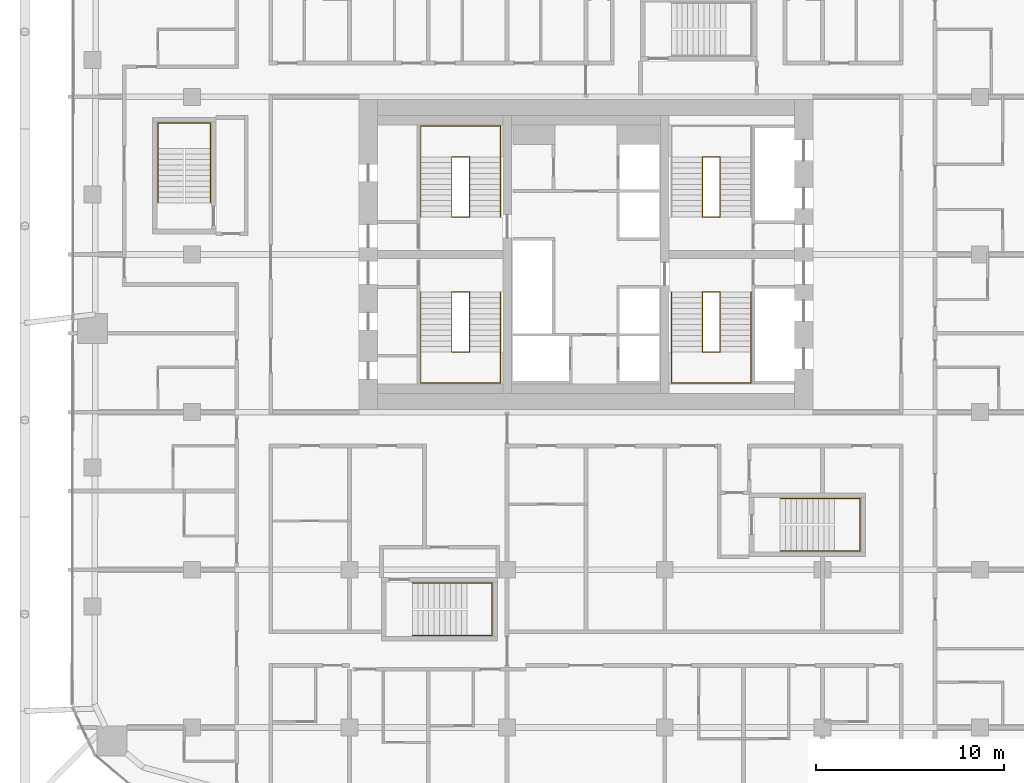
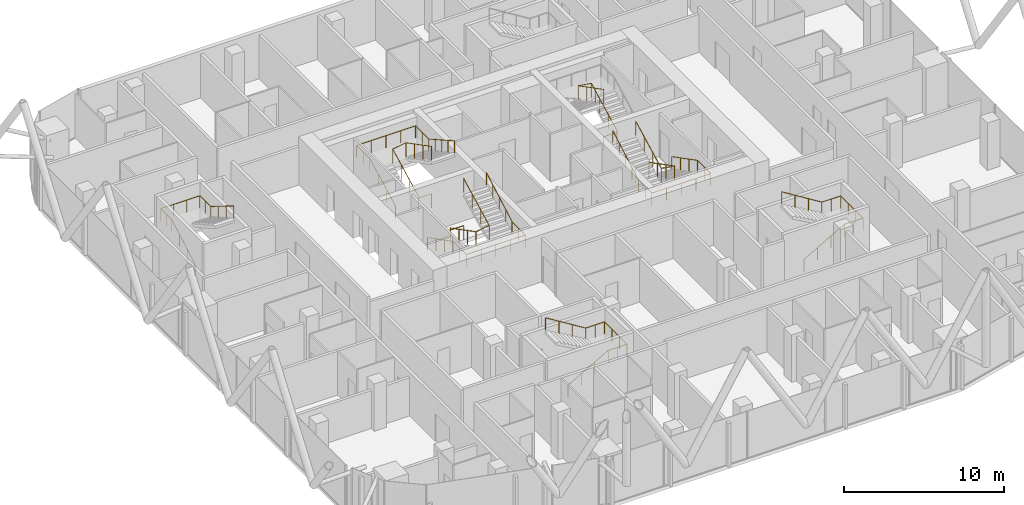
# One storey, part 35 of 36: 10 railings.
"""IFC4 building model written with IfcOpenShell, lengths in metres."""

from ifc_helpers import new_model, si_unit, direction, frame, origin, origin_2d, place, context, subcontext, project, spatial, circle, extrude, material, type_object, element, save


model = new_model("IFC4")

# Units and contexts
model_context = context("Model", 3, precision=1e-05, world=origin(), true_north=direction((0.0, 1.0)))
body_context = subcontext(model_context, "Body", "Model", "MODEL_VIEW")
ifc_project = project(units=[si_unit("LENGTHUNIT", "METRE"), si_unit("AREAUNIT", "SQUARE_METRE"), si_unit("VOLUMEUNIT", "CUBIC_METRE"), si_unit("PLANEANGLEUNIT", "RADIAN"), si_unit("MASSUNIT", "GRAM", prefix="KILO")], contexts=[model_context])

# Site, building, storey
site_placement = place(None, origin())
site = spatial("IfcSite", under=ifc_project, at=site_placement, CompositionType="ELEMENT")
building_placement = place(site_placement, origin())
building = spatial("IfcBuilding", under=site, at=building_placement, Name="Marenta Gate Hotel Tower", CompositionType="ELEMENT")
storey_placement = place(building_placement, frame((0.0, 0.0, 115.699951171875)))
storey = spatial("IfcBuildingStorey", under=building, at=storey_placement, Name="L25", CompositionType="ELEMENT", Elevation=115.699951171875)

# Railings
ifc_material_1 = material(Name="Stainless steel", Category="steel")
railing_type_1 = type_object("IfcRailingType", Name="Core stair handrail 950", PredefinedType="HANDRAIL", material=ifc_material_1)
railing_1_placement = place(storey_placement, frame((-8.800048828125, 6.39990234375, 0.150146484375)))
element("IfcRailing", 1, at=railing_1_placement, inside=storey, type_object=railing_type_1, Name="HR-950 L25-KR-ST1-1", PredefinedType="HANDRAIL", context=body_context, shape_type="SweptSolid", body=[
    extrude(circle(Radius=0.02392578125, at=origin_2d()), frame((0.0, 0.0, 0.92578125), z_axis=(0.0, -0.888225295554, 0.459408123936), x_axis=(1.0, 0.0, 0.0)), (0.0, 0.0, 1.0), 3.59130859375),
    extrude(circle(Radius=0.02392578125, at=origin_2d()), frame((0.0, -3.18994140625, 2.57568359375), z_axis=(0.0, -1.0, 0.0), x_axis=(1.0, 0.0, 0.0)), (0.0, 0.0, 1.0), 1.659912109375),
    extrude(circle(Radius=0.02392578125, at=origin_2d()), frame((0.0, -4.849853515625, 2.57568359375), z_axis=(1.0, 0.0, 0.0), x_axis=(0.0, 1.0, 0.0)), (0.0, 0.0, 1.0), 4.25),
    extrude(circle(Radius=0.02392578125, at=origin_2d()), frame((4.25, -4.849853515625, 2.57568359375), z_axis=(0.0, 1.0, 0.0), x_axis=(-1.0, 0.0, 0.0)), (0.0, 0.0, 1.0), 1.659912109375),
    extrude(circle(Radius=0.02392578125, at=origin_2d()), frame((4.25, -3.18994140625, 2.57568359375), z_axis=(0.0, 0.87090897868, 0.491444351738), x_axis=(-1.0, 0.0, 0.0)), (0.0, 0.0, 1.0), 3.662841796875),
    extrude(circle(Radius=0.02099609375, at=origin_2d()), origin(), (0.0, 0.0, 1.0), 0.90185546875),
    extrude(circle(Radius=0.02099609375, at=origin_2d()), frame((0.0, -1.063232421875, 0.550048828125)), (0.0, 0.0, 1.0), 0.90185546875),
    extrude(circle(Radius=0.02099609375, at=origin_2d()), frame((0.0, -2.126708984375, 1.099853515625)), (0.0, 0.0, 1.0), 0.90185546875),
    extrude(circle(Radius=0.02099609375, at=origin_2d()), frame((0.0, -3.18994140625, 1.64990234375)), (0.0, 0.0, 1.0), 0.90185546875),
    extrude(circle(Radius=0.02099609375, at=origin_2d()), frame((0.0, -4.02001953125, 1.64990234375)), (0.0, 0.0, 1.0), 0.90185546875),
    extrude(circle(Radius=0.02099609375, at=origin_2d()), frame((0.0, -4.849853515625, 1.64990234375)), (0.0, 0.0, 1.0), 0.90185546875),
    extrude(circle(Radius=0.02099609375, at=origin_2d()), frame((1.0625, -4.849853515625, 1.64990234375)), (0.0, 0.0, 1.0), 0.90185546875),
    extrude(circle(Radius=0.02099609375, at=origin_2d()), frame((2.125, -4.849853515625, 1.64990234375)), (0.0, 0.0, 1.0), 0.90185546875),
    extrude(circle(Radius=0.02099609375, at=origin_2d()), frame((3.1875, -4.849853515625, 1.64990234375)), (0.0, 0.0, 1.0), 0.90185546875),
    extrude(circle(Radius=0.02099609375, at=origin_2d()), frame((4.25, -4.849853515625, 1.64990234375)), (0.0, 0.0, 1.0), 0.90185546875),
    extrude(circle(Radius=0.02099609375, at=origin_2d()), frame((4.25, -4.02001953125, 1.64990234375)), (0.0, 0.0, 1.0), 0.90185546875),
    extrude(circle(Radius=0.02099609375, at=origin_2d()), frame((4.25, -3.18994140625, 1.64990234375)), (0.0, 0.0, 1.0), 0.90185546875),
    extrude(circle(Radius=0.02099609375, at=origin_2d()), frame((4.25, -2.392578125, 2.099853515625)), (0.0, 0.0, 1.0), 0.90185546875),
    extrude(circle(Radius=0.02099609375, at=origin_2d()), frame((4.25, -1.594970703125, 2.5498046875)), (0.0, 0.0, 1.0), 0.90185546875),
    extrude(circle(Radius=0.02099609375, at=origin_2d()), frame((4.25, -0.79736328125, 3.0)), (0.0, 0.0, 1.0), 0.90185546875),
    extrude(circle(Radius=0.02099609375, at=origin_2d()), frame((4.25, 0.0, 3.449951171875)), (0.0, 0.0, 1.0), 0.90185546875),
])
railing_2_placement = place(storey_placement, frame((-8.800048828125, 10.39990234375, 0.150146484375)))
element("IfcRailing", 2, at=railing_2_placement, inside=storey, type_object=railing_type_1, Name="HR-950 L25-KR-ST2-1", PredefinedType="HANDRAIL", context=body_context, shape_type="SweptSolid", body=[
    extrude(circle(Radius=0.02392578125, at=origin_2d()), frame((0.0, 0.0, 0.92578125), z_axis=(0.0, 0.888239641807, 0.459380385653), x_axis=(-1.0, 0.0, 0.0)), (0.0, 0.0, 1.0), 3.591552734375),
    extrude(circle(Radius=0.02392578125, at=origin_2d()), frame((0.0, 3.190185546875, 2.57568359375), z_axis=(0.0, 1.0, 0.0), x_axis=(-1.0, 0.0, 0.0)), (0.0, 0.0, 1.0), 1.659912109375),
    extrude(circle(Radius=0.02392578125, at=origin_2d()), frame((0.0, 4.85009765625, 2.57568359375), z_axis=(1.0, 0.0, 0.0), x_axis=(0.0, 1.0, 0.0)), (0.0, 0.0, 1.0), 4.25),
    extrude(circle(Radius=0.02392578125, at=origin_2d()), frame((4.25, 4.85009765625, 2.57568359375), z_axis=(0.0, -1.0, 0.0), x_axis=(1.0, 0.0, 0.0)), (0.0, 0.0, 1.0), 1.659912109375),
    extrude(circle(Radius=0.02392578125, at=origin_2d()), frame((4.25, 3.190185546875, 2.57568359375), z_axis=(0.0, -0.870925075533, 0.491415824742), x_axis=(1.0, 0.0, 0.0)), (0.0, 0.0, 1.0), 3.6630859375),
    extrude(circle(Radius=0.02099609375, at=origin_2d()), origin(), (0.0, 0.0, 1.0), 0.90185546875),
    extrude(circle(Radius=0.02099609375, at=origin_2d()), frame((0.0, 1.0634765625, 0.550048828125)), (0.0, 0.0, 1.0), 0.90185546875),
    extrude(circle(Radius=0.02099609375, at=origin_2d()), frame((0.0, 2.126708984375, 1.099853515625)), (0.0, 0.0, 1.0), 0.90185546875),
    extrude(circle(Radius=0.02099609375, at=origin_2d()), frame((0.0, 3.190185546875, 1.64990234375)), (0.0, 0.0, 1.0), 0.90185546875),
    extrude(circle(Radius=0.02099609375, at=origin_2d()), frame((0.0, 4.02001953125, 1.64990234375)), (0.0, 0.0, 1.0), 0.90185546875),
    extrude(circle(Radius=0.02099609375, at=origin_2d()), frame((0.0, 4.85009765625, 1.64990234375)), (0.0, 0.0, 1.0), 0.90185546875),
    extrude(circle(Radius=0.02099609375, at=origin_2d()), frame((1.0625, 4.85009765625, 1.64990234375)), (0.0, 0.0, 1.0), 0.90185546875),
    extrude(circle(Radius=0.02099609375, at=origin_2d()), frame((2.125, 4.85009765625, 1.64990234375)), (0.0, 0.0, 1.0), 0.90185546875),
    extrude(circle(Radius=0.02099609375, at=origin_2d()), frame((3.1875, 4.85009765625, 1.64990234375)), (0.0, 0.0, 1.0), 0.90185546875),
    extrude(circle(Radius=0.02099609375, at=origin_2d()), frame((4.25, 4.85009765625, 1.64990234375)), (0.0, 0.0, 1.0), 0.90185546875),
    extrude(circle(Radius=0.02099609375, at=origin_2d()), frame((4.25, 4.02001953125, 1.64990234375)), (0.0, 0.0, 1.0), 0.90185546875),
    extrude(circle(Radius=0.02099609375, at=origin_2d()), frame((4.25, 3.190185546875, 1.64990234375)), (0.0, 0.0, 1.0), 0.90185546875),
    extrude(circle(Radius=0.02099609375, at=origin_2d()), frame((4.25, 2.392578125, 2.099853515625)), (0.0, 0.0, 1.0), 0.90185546875),
    extrude(circle(Radius=0.02099609375, at=origin_2d()), frame((4.25, 1.59521484375, 2.5498046875)), (0.0, 0.0, 1.0), 0.90185546875),
    extrude(circle(Radius=0.02099609375, at=origin_2d()), frame((4.25, 0.797607421875, 3.0)), (0.0, 0.0, 1.0), 0.90185546875),
    extrude(circle(Radius=0.02099609375, at=origin_2d()), frame((4.25, 0.0, 3.449951171875)), (0.0, 0.0, 1.0), 0.90185546875),
])
railing_3_placement = place(storey_placement, frame((8.800048828125, 6.39990234375, 0.150146484375)))
element("IfcRailing", 3, at=railing_3_placement, inside=storey, type_object=railing_type_1, Name="HR-950 L25-KR-ST3-1", PredefinedType="HANDRAIL", context=body_context, shape_type="SweptSolid", body=[
    extrude(circle(Radius=0.02392578125, at=origin_2d()), frame((0.0, 0.0, 0.92578125), z_axis=(0.0, -0.888225295554, 0.459408123936), x_axis=(1.0, 0.0, 0.0)), (0.0, 0.0, 1.0), 3.59130859375),
    extrude(circle(Radius=0.02392578125, at=origin_2d()), frame((0.0, -3.18994140625, 2.57568359375), z_axis=(0.0, -1.0, 0.0), x_axis=(1.0, 0.0, 0.0)), (0.0, 0.0, 1.0), 1.659912109375),
    extrude(circle(Radius=0.02392578125, at=origin_2d()), frame((0.0, -4.849853515625, 2.57568359375), z_axis=(-1.0, 0.0, 0.0), x_axis=(0.0, -1.0, 0.0)), (0.0, 0.0, 1.0), 4.25),
    extrude(circle(Radius=0.02392578125, at=origin_2d()), frame((-4.25, -4.849853515625, 2.57568359375), z_axis=(0.0, 1.0, 0.0), x_axis=(-1.0, 0.0, 0.0)), (0.0, 0.0, 1.0), 1.659912109375),
    extrude(circle(Radius=0.02392578125, at=origin_2d()), frame((-4.25, -3.18994140625, 2.57568359375), z_axis=(0.0, 0.87090897868, 0.491444351738), x_axis=(-1.0, 0.0, 0.0)), (0.0, 0.0, 1.0), 3.662841796875),
    extrude(circle(Radius=0.02099609375, at=origin_2d()), origin(), (0.0, 0.0, 1.0), 0.90185546875),
    extrude(circle(Radius=0.02099609375, at=origin_2d()), frame((0.0, -1.063232421875, 0.550048828125)), (0.0, 0.0, 1.0), 0.90185546875),
    extrude(circle(Radius=0.02099609375, at=origin_2d()), frame((0.0, -2.126708984375, 1.099853515625)), (0.0, 0.0, 1.0), 0.90185546875),
    extrude(circle(Radius=0.02099609375, at=origin_2d()), frame((0.0, -3.18994140625, 1.64990234375)), (0.0, 0.0, 1.0), 0.90185546875),
    extrude(circle(Radius=0.02099609375, at=origin_2d()), frame((0.0, -4.02001953125, 1.64990234375)), (0.0, 0.0, 1.0), 0.90185546875),
    extrude(circle(Radius=0.02099609375, at=origin_2d()), frame((0.0, -4.849853515625, 1.64990234375)), (0.0, 0.0, 1.0), 0.90185546875),
    extrude(circle(Radius=0.02099609375, at=origin_2d()), frame((-1.0625, -4.849853515625, 1.64990234375)), (0.0, 0.0, 1.0), 0.90185546875),
    extrude(circle(Radius=0.02099609375, at=origin_2d()), frame((-2.125, -4.849853515625, 1.64990234375)), (0.0, 0.0, 1.0), 0.90185546875),
    extrude(circle(Radius=0.02099609375, at=origin_2d()), frame((-3.1875, -4.849853515625, 1.64990234375)), (0.0, 0.0, 1.0), 0.90185546875),
    extrude(circle(Radius=0.02099609375, at=origin_2d()), frame((-4.25, -4.849853515625, 1.64990234375)), (0.0, 0.0, 1.0), 0.90185546875),
    extrude(circle(Radius=0.02099609375, at=origin_2d()), frame((-4.25, -4.02001953125, 1.64990234375)), (0.0, 0.0, 1.0), 0.90185546875),
    extrude(circle(Radius=0.02099609375, at=origin_2d()), frame((-4.25, -3.18994140625, 1.64990234375)), (0.0, 0.0, 1.0), 0.90185546875),
    extrude(circle(Radius=0.02099609375, at=origin_2d()), frame((-4.25, -2.392578125, 2.099853515625)), (0.0, 0.0, 1.0), 0.90185546875),
    extrude(circle(Radius=0.02099609375, at=origin_2d()), frame((-4.25, -1.594970703125, 2.5498046875)), (0.0, 0.0, 1.0), 0.90185546875),
    extrude(circle(Radius=0.02099609375, at=origin_2d()), frame((-4.25, -0.79736328125, 3.0)), (0.0, 0.0, 1.0), 0.90185546875),
    extrude(circle(Radius=0.02099609375, at=origin_2d()), frame((-4.25, 0.0, 3.449951171875)), (0.0, 0.0, 1.0), 0.90185546875),
])
railing_4_placement = place(storey_placement, frame((-22.800048828125, 11.14990234375, 0.16357421875)))
element("IfcRailing", 4, at=railing_4_placement, inside=storey, type_object=railing_type_1, Name="HR-950 L25-RS-Z1-3-KR-1", PredefinedType="HANDRAIL", context=body_context, shape_type="SweptSolid", body=[
    extrude(circle(Radius=0.02392578125, at=origin_2d()), frame((0.0, 0.0, 0.92578125), z_axis=(0.0, 0.870914908162, 0.491433843708), x_axis=(-1.0, 0.0, 0.0)), (0.0, 0.0, 1.0), 3.330078125),
    extrude(circle(Radius=0.02392578125, at=origin_2d()), frame((0.0, 2.900146484375, 2.5625), z_axis=(0.0, 1.0, 0.0), x_axis=(-1.0, 0.0, 0.0)), (0.0, 0.0, 1.0), 1.349853515625),
    extrude(circle(Radius=0.02392578125, at=origin_2d()), frame((0.0, 4.25, 2.5625), z_axis=(1.0, 0.0, 0.0), x_axis=(0.0, 1.0, 0.0)), (0.0, 0.0, 1.0), 2.800048828125),
    extrude(circle(Radius=0.02392578125, at=origin_2d()), frame((2.800048828125, 4.25, 2.5625), z_axis=(0.0, -1.0, 0.0), x_axis=(1.0, 0.0, 0.0)), (0.0, 0.0, 1.0), 1.349853515625),
    extrude(circle(Radius=0.02392578125, at=origin_2d()), frame((2.800048828125, 2.900146484375, 2.5625), z_axis=(0.0, -0.849645691689, 0.527353959494), x_axis=(1.0, 0.0, 0.0)), (0.0, 0.0, 1.0), 3.413330078125),
    extrude(circle(Radius=0.02099609375, at=origin_2d()), origin(), (0.0, 0.0, 1.0), 0.90185546875),
    extrude(circle(Radius=0.02099609375, at=origin_2d()), frame((0.0, 0.966796875, 0.54541015625)), (0.0, 0.0, 1.0), 0.90185546875),
    extrude(circle(Radius=0.02099609375, at=origin_2d()), frame((0.0, 1.933349609375, 1.091064453125)), (0.0, 0.0, 1.0), 0.90185546875),
    extrude(circle(Radius=0.02099609375, at=origin_2d()), frame((0.0, 2.900146484375, 1.636474609375)), (0.0, 0.0, 1.0), 0.90185546875),
    extrude(circle(Radius=0.02099609375, at=origin_2d()), frame((0.0, 3.5751953125, 1.636474609375)), (0.0, 0.0, 1.0), 0.90185546875),
    extrude(circle(Radius=0.02099609375, at=origin_2d()), frame((0.0, 4.25, 1.636474609375)), (0.0, 0.0, 1.0), 0.90185546875),
    extrude(circle(Radius=0.02099609375, at=origin_2d()), frame((0.933349609375, 4.25, 1.636474609375)), (0.0, 0.0, 1.0), 0.90185546875),
    extrude(circle(Radius=0.02099609375, at=origin_2d()), frame((1.86669921875, 4.25, 1.636474609375)), (0.0, 0.0, 1.0), 0.90185546875),
    extrude(circle(Radius=0.02099609375, at=origin_2d()), frame((2.800048828125, 4.25, 1.636474609375)), (0.0, 0.0, 1.0), 0.90185546875),
    extrude(circle(Radius=0.02099609375, at=origin_2d()), frame((2.800048828125, 3.5751953125, 1.636474609375)), (0.0, 0.0, 1.0), 0.90185546875),
    extrude(circle(Radius=0.02099609375, at=origin_2d()), frame((2.800048828125, 2.900146484375, 1.636474609375)), (0.0, 0.0, 1.0), 0.90185546875),
    extrude(circle(Radius=0.02099609375, at=origin_2d()), frame((2.800048828125, 1.933349609375, 2.236572265625)), (0.0, 0.0, 1.0), 0.90185546875),
    extrude(circle(Radius=0.02099609375, at=origin_2d()), frame((2.800048828125, 0.966796875, 2.83642578125)), (0.0, 0.0, 1.0), 0.90185546875),
    extrude(circle(Radius=0.02099609375, at=origin_2d()), frame((2.800048828125, 0.0, 3.4365234375)), (0.0, 0.0, 1.0), 0.90185546875),
])
railing_5_placement = place(storey_placement, frame((-9.25, -11.89990234375, 0.16357421875)))
element("IfcRailing", 5, at=railing_5_placement, inside=storey, type_object=railing_type_1, Name="HR-950 L25-RS-Z2-1-KR-1", PredefinedType="HANDRAIL", context=body_context, shape_type="SweptSolid", body=[
    extrude(circle(Radius=0.02392578125, at=origin_2d()), frame((0.0, 0.0, 0.92578125), z_axis=(0.870897200241, 0.0, 0.491465224214), x_axis=(0.0, 1.0, 0.0)), (0.0, 0.0, 1.0), 3.329833984375),
    extrude(circle(Radius=0.02392578125, at=origin_2d()), frame((2.89990234375, 0.0, 2.5625), z_axis=(1.0, 0.0, 0.0), x_axis=(0.0, 1.0, 0.0)), (0.0, 0.0, 1.0), 1.35009765625),
    extrude(circle(Radius=0.02392578125, at=origin_2d()), frame((4.25, 0.0, 2.5625), z_axis=(0.0, 1.0, 0.0), x_axis=(-1.0, 0.0, 0.0)), (0.0, 0.0, 1.0), 2.7998046875),
    extrude(circle(Radius=0.02392578125, at=origin_2d()), frame((4.25, 2.7998046875, 2.5625), z_axis=(-1.0, 0.0, 0.0), x_axis=(0.0, -1.0, 0.0)), (0.0, 0.0, 1.0), 1.35009765625),
    extrude(circle(Radius=0.02392578125, at=origin_2d()), frame((2.89990234375, 2.7998046875, 2.5625), z_axis=(-0.849625798611, 0.0, 0.527386008853), x_axis=(0.0, -1.0, 0.0)), (0.0, 0.0, 1.0), 3.4130859375),
    extrude(circle(Radius=0.02099609375, at=origin_2d()), origin(), (0.0, 0.0, 1.0), 0.90185546875),
    extrude(circle(Radius=0.02099609375, at=origin_2d()), frame((0.966552734375, 0.0, 0.54541015625)), (0.0, 0.0, 1.0), 0.90185546875),
    extrude(circle(Radius=0.02099609375, at=origin_2d()), frame((1.933349609375, 0.0, 1.091064453125)), (0.0, 0.0, 1.0), 0.90185546875),
    extrude(circle(Radius=0.02099609375, at=origin_2d()), frame((2.89990234375, 0.0, 1.636474609375)), (0.0, 0.0, 1.0), 0.90185546875),
    extrude(circle(Radius=0.02099609375, at=origin_2d()), frame((3.574951171875, 0.0, 1.636474609375)), (0.0, 0.0, 1.0), 0.90185546875),
    extrude(circle(Radius=0.02099609375, at=origin_2d()), frame((4.25, 0.0, 1.636474609375)), (0.0, 0.0, 1.0), 0.90185546875),
    extrude(circle(Radius=0.02099609375, at=origin_2d()), frame((4.25, 0.933349609375, 1.636474609375)), (0.0, 0.0, 1.0), 0.90185546875),
    extrude(circle(Radius=0.02099609375, at=origin_2d()), frame((4.25, 1.866455078125, 1.636474609375)), (0.0, 0.0, 1.0), 0.90185546875),
    extrude(circle(Radius=0.02099609375, at=origin_2d()), frame((4.25, 2.7998046875, 1.636474609375)), (0.0, 0.0, 1.0), 0.90185546875),
    extrude(circle(Radius=0.02099609375, at=origin_2d()), frame((3.574951171875, 2.7998046875, 1.636474609375)), (0.0, 0.0, 1.0), 0.90185546875),
    extrude(circle(Radius=0.02099609375, at=origin_2d()), frame((2.89990234375, 2.7998046875, 1.636474609375)), (0.0, 0.0, 1.0), 0.90185546875),
    extrude(circle(Radius=0.02099609375, at=origin_2d()), frame((1.933349609375, 2.7998046875, 2.236572265625)), (0.0, 0.0, 1.0), 0.90185546875),
    extrude(circle(Radius=0.02099609375, at=origin_2d()), frame((0.966552734375, 2.7998046875, 2.83642578125)), (0.0, 0.0, 1.0), 0.90185546875),
    extrude(circle(Radius=0.02099609375, at=origin_2d()), frame((0.0, 2.7998046875, 3.4365234375)), (0.0, 0.0, 1.0), 0.90185546875),
])
railing_6_placement = place(storey_placement, frame((10.35009765625, -7.39990234375, 0.16357421875)))
element("IfcRailing", 6, at=railing_6_placement, inside=storey, type_object=railing_type_1, Name="HR-950 L25-RS-Z2-2-KR-1", PredefinedType="HANDRAIL", context=body_context, shape_type="SweptSolid", body=[
    extrude(circle(Radius=0.02392578125, at=origin_2d()), frame((0.0, 0.0, 0.92578125), z_axis=(0.870897200241, 0.0, 0.491465224214), x_axis=(0.0, 1.0, 0.0)), (0.0, 0.0, 1.0), 3.329833984375),
    extrude(circle(Radius=0.02392578125, at=origin_2d()), frame((2.89990234375, 0.0, 2.5625), z_axis=(1.0, 0.0, 0.0), x_axis=(0.0, 1.0, 0.0)), (0.0, 0.0, 1.0), 1.35009765625),
    extrude(circle(Radius=0.02392578125, at=origin_2d()), frame((4.25, 0.0, 2.5625), z_axis=(0.0, 1.0, 0.0), x_axis=(-1.0, 0.0, 0.0)), (0.0, 0.0, 1.0), 2.7998046875),
    extrude(circle(Radius=0.02392578125, at=origin_2d()), frame((4.25, 2.7998046875, 2.5625), z_axis=(-1.0, 0.0, 0.0), x_axis=(0.0, -1.0, 0.0)), (0.0, 0.0, 1.0), 1.35009765625),
    extrude(circle(Radius=0.02392578125, at=origin_2d()), frame((2.89990234375, 2.7998046875, 2.5625), z_axis=(-0.849625798611, 0.0, 0.527386008853), x_axis=(0.0, -1.0, 0.0)), (0.0, 0.0, 1.0), 3.4130859375),
    extrude(circle(Radius=0.02099609375, at=origin_2d()), origin(), (0.0, 0.0, 1.0), 0.90185546875),
    extrude(circle(Radius=0.02099609375, at=origin_2d()), frame((0.966552734375, 0.0, 0.54541015625)), (0.0, 0.0, 1.0), 0.90185546875),
    extrude(circle(Radius=0.02099609375, at=origin_2d()), frame((1.933349609375, 0.0, 1.091064453125)), (0.0, 0.0, 1.0), 0.90185546875),
    extrude(circle(Radius=0.02099609375, at=origin_2d()), frame((2.89990234375, 0.0, 1.636474609375)), (0.0, 0.0, 1.0), 0.90185546875),
    extrude(circle(Radius=0.02099609375, at=origin_2d()), frame((3.574951171875, 0.0, 1.636474609375)), (0.0, 0.0, 1.0), 0.90185546875),
    extrude(circle(Radius=0.02099609375, at=origin_2d()), frame((4.25, 0.0, 1.636474609375)), (0.0, 0.0, 1.0), 0.90185546875),
    extrude(circle(Radius=0.02099609375, at=origin_2d()), frame((4.25, 0.933349609375, 1.636474609375)), (0.0, 0.0, 1.0), 0.90185546875),
    extrude(circle(Radius=0.02099609375, at=origin_2d()), frame((4.25, 1.866455078125, 1.636474609375)), (0.0, 0.0, 1.0), 0.90185546875),
    extrude(circle(Radius=0.02099609375, at=origin_2d()), frame((4.25, 2.7998046875, 1.636474609375)), (0.0, 0.0, 1.0), 0.90185546875),
    extrude(circle(Radius=0.02099609375, at=origin_2d()), frame((3.574951171875, 2.7998046875, 1.636474609375)), (0.0, 0.0, 1.0), 0.90185546875),
    extrude(circle(Radius=0.02099609375, at=origin_2d()), frame((2.89990234375, 2.7998046875, 1.636474609375)), (0.0, 0.0, 1.0), 0.90185546875),
    extrude(circle(Radius=0.02099609375, at=origin_2d()), frame((1.933349609375, 2.7998046875, 2.236572265625)), (0.0, 0.0, 1.0), 0.90185546875),
    extrude(circle(Radius=0.02099609375, at=origin_2d()), frame((0.966552734375, 2.7998046875, 2.83642578125)), (0.0, 0.0, 1.0), 0.90185546875),
    extrude(circle(Radius=0.02099609375, at=origin_2d()), frame((0.0, 2.7998046875, 3.4365234375)), (0.0, 0.0, 1.0), 0.90185546875),
])
ifc_material_2 = material(Name="Stainless steel", Category="steel")
railing_type_2 = type_object("IfcRailingType", Name="Core stair well guard 1100", PredefinedType="GUARDRAIL", material=ifc_material_2)
railing_7_placement = place(storey_placement, frame((-6.199951171875, 6.39990234375, 0.0)))
element("IfcRailing", 7, at=railing_7_placement, inside=storey, type_object=railing_type_2, Name="GR-1100 L25-KR-ST1-2", PredefinedType="GUARDRAIL", context=body_context, shape_type="SweptSolid", body=[
    extrude(circle(Radius=0.02392578125, at=origin_2d()), frame((0.0, 0.0, 1.076171875), z_axis=(-1.0, 0.0, 0.0), x_axis=(0.0, -1.0, 0.0)), (0.0, 0.0, 1.0), 0.949951171875),
    extrude(circle(Radius=0.02392578125, at=origin_2d()), frame((-0.949951171875, 0.0, 1.076171875), z_axis=(0.0, 0.0, 1.0), x_axis=(1.0, 0.0, 0.0)), (0.0, 0.0, 1.0), 0.150146484375),
    extrude(circle(Radius=0.02392578125, at=origin_2d()), frame((-0.949951171875, 0.0, 1.22607421875), z_axis=(0.0, -0.888225295554, 0.459408123936), x_axis=(1.0, 0.0, 0.0)), (0.0, 0.0, 1.0), 3.59130859375),
    extrude(circle(Radius=0.02392578125, at=origin_2d()), frame((-0.949951171875, -3.18994140625, 2.8759765625), z_axis=(0.987777369502, 0.0, 0.15587131968), x_axis=(0.0, 1.0, 0.0)), (0.0, 0.0, 1.0), 0.961669921875),
    extrude(circle(Radius=0.02392578125, at=origin_2d()), frame((0.0, -3.18994140625, 3.02587890625), z_axis=(0.0, 0.888197555067, 0.459461753765), x_axis=(-1.0, 0.0, 0.0)), (0.0, 0.0, 1.0), 3.591552734375),
    extrude(circle(Radius=0.02099609375, at=origin_2d()), origin(), (0.0, 0.0, 1.0), 1.052001953125),
    extrude(circle(Radius=0.02099609375, at=origin_2d()), frame((-0.949951171875, 0.0, 0.0)), (0.0, 0.0, 1.0), 1.052001953125),
    extrude(circle(Radius=0.02099609375, at=origin_2d()), frame((-0.949951171875, 0.0, 0.150146484375)), (0.0, 0.0, 1.0), 1.052001953125),
    extrude(circle(Radius=0.02099609375, at=origin_2d()), frame((-0.949951171875, -1.063232421875, 0.7001953125)), (0.0, 0.0, 1.0), 1.052001953125),
    extrude(circle(Radius=0.02099609375, at=origin_2d()), frame((-0.949951171875, -2.126708984375, 1.25)), (0.0, 0.0, 1.0), 1.052001953125),
    extrude(circle(Radius=0.02099609375, at=origin_2d()), frame((-0.949951171875, -3.18994140625, 1.800048828125)), (0.0, 0.0, 1.0), 1.052001953125),
    extrude(circle(Radius=0.02099609375, at=origin_2d()), frame((0.0, -3.18994140625, 1.949951171875)), (0.0, 0.0, 1.0), 1.052001953125),
    extrude(circle(Radius=0.02099609375, at=origin_2d()), frame((0.0, -2.126708984375, 2.5)), (0.0, 0.0, 1.0), 1.052001953125),
    extrude(circle(Radius=0.02099609375, at=origin_2d()), frame((0.0, -1.063232421875, 3.050048828125)), (0.0, 0.0, 1.0), 1.052001953125),
    extrude(circle(Radius=0.02099609375, at=origin_2d()), frame((0.0, 0.0, 3.60009765625)), (0.0, 0.0, 1.0), 1.052001953125),
])
railing_8_placement = place(storey_placement, frame((-6.199951171875, 10.39990234375, 0.0)))
element("IfcRailing", 8, at=railing_8_placement, inside=storey, type_object=railing_type_2, Name="GR-1100 L25-KR-ST2-2", PredefinedType="GUARDRAIL", context=body_context, shape_type="SweptSolid", body=[
    extrude(circle(Radius=0.02392578125, at=origin_2d()), frame((0.0, 0.0, 1.076171875), z_axis=(-1.0, 0.0, 0.0), x_axis=(0.0, -1.0, 0.0)), (0.0, 0.0, 1.0), 0.949951171875),
    extrude(circle(Radius=0.02392578125, at=origin_2d()), frame((-0.949951171875, 0.0, 1.076171875), z_axis=(0.0, 0.0, 1.0), x_axis=(1.0, 0.0, 0.0)), (0.0, 0.0, 1.0), 0.150146484375),
    extrude(circle(Radius=0.02392578125, at=origin_2d()), frame((-0.949951171875, 0.0, 1.22607421875), z_axis=(0.0, 0.888239641807, 0.459380385653), x_axis=(-1.0, 0.0, 0.0)), (0.0, 0.0, 1.0), 3.591552734375),
    extrude(circle(Radius=0.02392578125, at=origin_2d()), frame((-0.949951171875, 3.190185546875, 2.8759765625), z_axis=(0.987777369502, 0.0, 0.15587131968), x_axis=(0.0, 1.0, 0.0)), (0.0, 0.0, 1.0), 0.961669921875),
    extrude(circle(Radius=0.02392578125, at=origin_2d()), frame((0.0, 3.190185546875, 3.02587890625), z_axis=(0.0, -0.888211904222, 0.459434013977), x_axis=(1.0, 0.0, 0.0)), (0.0, 0.0, 1.0), 3.591796875),
    extrude(circle(Radius=0.02099609375, at=origin_2d()), origin(), (0.0, 0.0, 1.0), 1.052001953125),
    extrude(circle(Radius=0.02099609375, at=origin_2d()), frame((-0.949951171875, 0.0, 0.0)), (0.0, 0.0, 1.0), 1.052001953125),
    extrude(circle(Radius=0.02099609375, at=origin_2d()), frame((-0.949951171875, 0.0, 0.150146484375)), (0.0, 0.0, 1.0), 1.052001953125),
    extrude(circle(Radius=0.02099609375, at=origin_2d()), frame((-0.949951171875, 1.0634765625, 0.7001953125)), (0.0, 0.0, 1.0), 1.052001953125),
    extrude(circle(Radius=0.02099609375, at=origin_2d()), frame((-0.949951171875, 2.126708984375, 1.25)), (0.0, 0.0, 1.0), 1.052001953125),
    extrude(circle(Radius=0.02099609375, at=origin_2d()), frame((-0.949951171875, 3.190185546875, 1.800048828125)), (0.0, 0.0, 1.0), 1.052001953125),
    extrude(circle(Radius=0.02099609375, at=origin_2d()), frame((0.0, 3.190185546875, 1.949951171875)), (0.0, 0.0, 1.0), 1.052001953125),
    extrude(circle(Radius=0.02099609375, at=origin_2d()), frame((0.0, 2.126708984375, 2.5)), (0.0, 0.0, 1.0), 1.052001953125),
    extrude(circle(Radius=0.02099609375, at=origin_2d()), frame((0.0, 1.0634765625, 3.050048828125)), (0.0, 0.0, 1.0), 1.052001953125),
    extrude(circle(Radius=0.02099609375, at=origin_2d()), frame((0.0, 0.0, 3.60009765625)), (0.0, 0.0, 1.0), 1.052001953125),
])
railing_9_placement = place(storey_placement, frame((6.199951171875, 6.39990234375, 0.0)))
element("IfcRailing", 9, at=railing_9_placement, inside=storey, type_object=railing_type_2, Name="GR-1100 L25-KR-ST3-2", PredefinedType="GUARDRAIL", context=body_context, shape_type="SweptSolid", body=[
    extrude(circle(Radius=0.02392578125, at=origin_2d()), frame((0.0, 0.0, 1.076171875), z_axis=(1.0, 0.0, 0.0), x_axis=(0.0, 1.0, 0.0)), (0.0, 0.0, 1.0), 0.949951171875),
    extrude(circle(Radius=0.02392578125, at=origin_2d()), frame((0.949951171875, 0.0, 1.076171875), z_axis=(0.0, 0.0, 1.0), x_axis=(1.0, 0.0, 0.0)), (0.0, 0.0, 1.0), 0.150146484375),
    extrude(circle(Radius=0.02392578125, at=origin_2d()), frame((0.949951171875, 0.0, 1.22607421875), z_axis=(0.0, -0.888225295554, 0.459408123936), x_axis=(1.0, 0.0, 0.0)), (0.0, 0.0, 1.0), 3.59130859375),
    extrude(circle(Radius=0.02392578125, at=origin_2d()), frame((0.949951171875, -3.18994140625, 2.8759765625), z_axis=(-0.987777369502, 0.0, 0.15587131968), x_axis=(0.0, -1.0, 0.0)), (0.0, 0.0, 1.0), 0.961669921875),
    extrude(circle(Radius=0.02392578125, at=origin_2d()), frame((0.0, -3.18994140625, 3.02587890625), z_axis=(0.0, 0.888197555067, 0.459461753765), x_axis=(-1.0, 0.0, 0.0)), (0.0, 0.0, 1.0), 3.591552734375),
    extrude(circle(Radius=0.02099609375, at=origin_2d()), origin(), (0.0, 0.0, 1.0), 1.052001953125),
    extrude(circle(Radius=0.02099609375, at=origin_2d()), frame((0.949951171875, 0.0, 0.0)), (0.0, 0.0, 1.0), 1.052001953125),
    extrude(circle(Radius=0.02099609375, at=origin_2d()), frame((0.949951171875, 0.0, 0.150146484375)), (0.0, 0.0, 1.0), 1.052001953125),
    extrude(circle(Radius=0.02099609375, at=origin_2d()), frame((0.949951171875, -1.063232421875, 0.7001953125)), (0.0, 0.0, 1.0), 1.052001953125),
    extrude(circle(Radius=0.02099609375, at=origin_2d()), frame((0.949951171875, -2.126708984375, 1.25)), (0.0, 0.0, 1.0), 1.052001953125),
    extrude(circle(Radius=0.02099609375, at=origin_2d()), frame((0.949951171875, -3.18994140625, 1.800048828125)), (0.0, 0.0, 1.0), 1.052001953125),
    extrude(circle(Radius=0.02099609375, at=origin_2d()), frame((0.0, -3.18994140625, 1.949951171875)), (0.0, 0.0, 1.0), 1.052001953125),
    extrude(circle(Radius=0.02099609375, at=origin_2d()), frame((0.0, -2.126708984375, 2.5)), (0.0, 0.0, 1.0), 1.052001953125),
    extrude(circle(Radius=0.02099609375, at=origin_2d()), frame((0.0, -1.063232421875, 3.050048828125)), (0.0, 0.0, 1.0), 1.052001953125),
    extrude(circle(Radius=0.02099609375, at=origin_2d()), frame((0.0, 0.0, 3.60009765625)), (0.0, 0.0, 1.0), 1.052001953125),
])
railing_10_placement = place(storey_placement, frame((6.199951171875, 10.39990234375, 0.0)))
element("IfcRailing", 10, at=railing_10_placement, inside=storey, type_object=railing_type_2, Name="GR-1100 L25-KR-ST4-2", PredefinedType="GUARDRAIL", context=body_context, shape_type="SweptSolid", body=[
    extrude(circle(Radius=0.02392578125, at=origin_2d()), frame((0.0, 0.0, 1.076171875), z_axis=(1.0, 0.0, 0.0), x_axis=(0.0, 1.0, 0.0)), (0.0, 0.0, 1.0), 0.949951171875),
    extrude(circle(Radius=0.02392578125, at=origin_2d()), frame((0.949951171875, 0.0, 1.076171875), z_axis=(0.0, 0.0, 1.0), x_axis=(1.0, 0.0, 0.0)), (0.0, 0.0, 1.0), 0.150146484375),
    extrude(circle(Radius=0.02392578125, at=origin_2d()), frame((0.949951171875, 0.0, 1.22607421875), z_axis=(0.0, 0.888239641807, 0.459380385653), x_axis=(-1.0, 0.0, 0.0)), (0.0, 0.0, 1.0), 3.591552734375),
    extrude(circle(Radius=0.02392578125, at=origin_2d()), frame((0.949951171875, 3.190185546875, 2.8759765625), z_axis=(-0.987777369502, 0.0, 0.15587131968), x_axis=(0.0, -1.0, 0.0)), (0.0, 0.0, 1.0), 0.961669921875),
    extrude(circle(Radius=0.02392578125, at=origin_2d()), frame((0.0, 3.190185546875, 3.02587890625), z_axis=(0.0, -0.888211904222, 0.459434013977), x_axis=(1.0, 0.0, 0.0)), (0.0, 0.0, 1.0), 3.591796875),
    extrude(circle(Radius=0.02099609375, at=origin_2d()), origin(), (0.0, 0.0, 1.0), 1.052001953125),
    extrude(circle(Radius=0.02099609375, at=origin_2d()), frame((0.949951171875, 0.0, 0.0)), (0.0, 0.0, 1.0), 1.052001953125),
    extrude(circle(Radius=0.02099609375, at=origin_2d()), frame((0.949951171875, 0.0, 0.150146484375)), (0.0, 0.0, 1.0), 1.052001953125),
    extrude(circle(Radius=0.02099609375, at=origin_2d()), frame((0.949951171875, 1.0634765625, 0.7001953125)), (0.0, 0.0, 1.0), 1.052001953125),
    extrude(circle(Radius=0.02099609375, at=origin_2d()), frame((0.949951171875, 2.126708984375, 1.25)), (0.0, 0.0, 1.0), 1.052001953125),
    extrude(circle(Radius=0.02099609375, at=origin_2d()), frame((0.949951171875, 3.190185546875, 1.800048828125)), (0.0, 0.0, 1.0), 1.052001953125),
    extrude(circle(Radius=0.02099609375, at=origin_2d()), frame((0.0, 3.190185546875, 1.949951171875)), (0.0, 0.0, 1.0), 1.052001953125),
    extrude(circle(Radius=0.02099609375, at=origin_2d()), frame((0.0, 2.126708984375, 2.5)), (0.0, 0.0, 1.0), 1.052001953125),
    extrude(circle(Radius=0.02099609375, at=origin_2d()), frame((0.0, 1.0634765625, 3.050048828125)), (0.0, 0.0, 1.0), 1.052001953125),
    extrude(circle(Radius=0.02099609375, at=origin_2d()), frame((0.0, 0.0, 3.60009765625)), (0.0, 0.0, 1.0), 1.052001953125),
])

save(model, "model.ifc")
